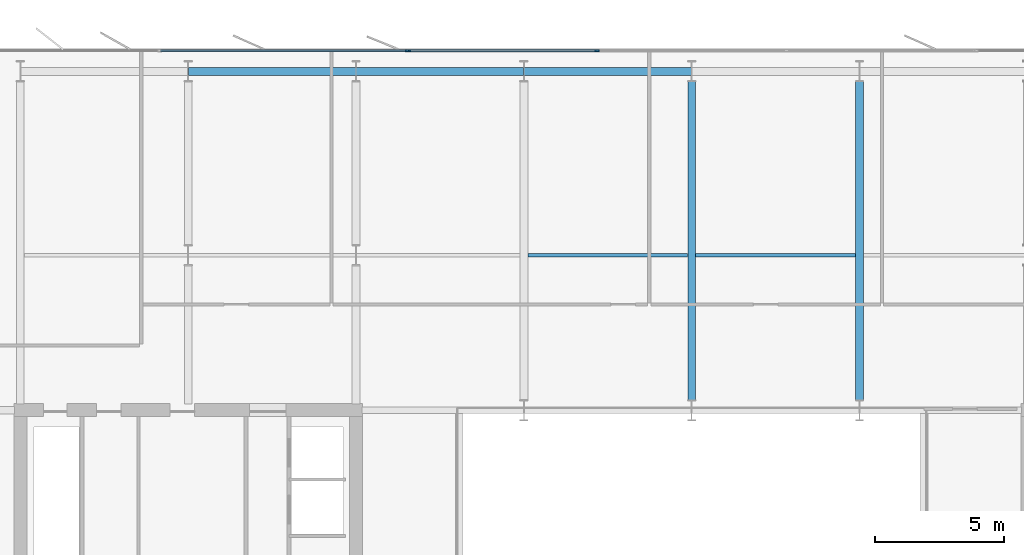
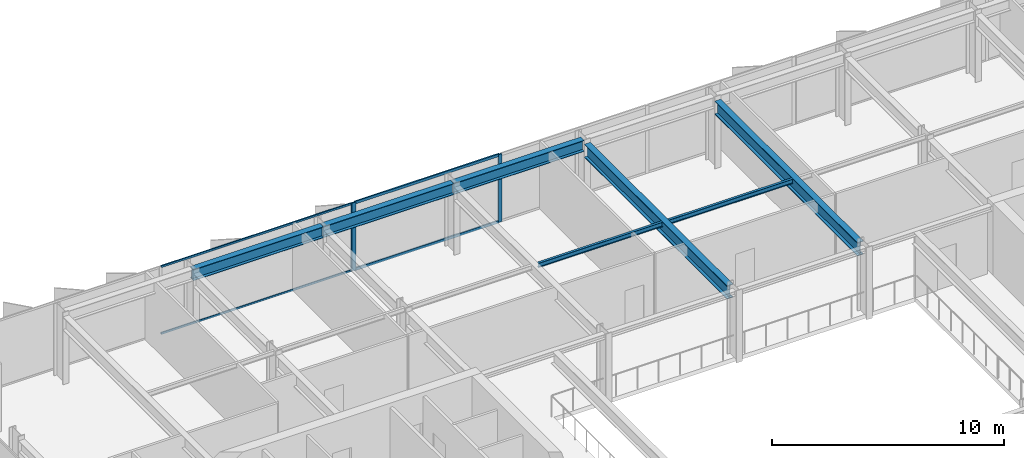
# One storey, part 11 of 24: 7 beams, 7 members, 2 elements without a shape of their own.
"""IFC4 building model written with IfcOpenShell, lengths in metres."""

from ifc_helpers import new_model, si_unit, direction, frame, origin, origin_2d, place, context, subcontext, project, spatial, rectangle, i_section, extrude, material, layer, layer_set, material_profile, profile_set, type_object, element, aggregate, save


model = new_model("IFC4")

# Units and contexts
model_context = context("Model", 3, precision=1e-05, world=origin(), true_north=direction((0.0, 1.0)))
body_context = subcontext(model_context, "Body", "Model", "MODEL_VIEW")
ifc_project = project(units=[si_unit("LENGTHUNIT", "METRE"), si_unit("AREAUNIT", "SQUARE_METRE"), si_unit("VOLUMEUNIT", "CUBIC_METRE"), si_unit("PLANEANGLEUNIT", "RADIAN"), si_unit("MASSUNIT", "GRAM", prefix="KILO")], contexts=[model_context])

# Site, building, storey
site_placement = place(None, origin())
site = spatial("IfcSite", under=ifc_project, at=site_placement, CompositionType="ELEMENT")
building_placement = place(site_placement, origin())
building = spatial("IfcBuilding", under=site, at=building_placement, Name="Putna Gate Headquarters", CompositionType="ELEMENT")
storey_placement = place(building_placement, frame((0.0, 0.0, 236.60009765625)))
storey = spatial("IfcBuildingStorey", under=building, at=storey_placement, Name="L59", CompositionType="ELEMENT", Elevation=236.60009765625)

# Beams
ifc_material_1 = material(Name="Steel S355J2", Category="steel")
ifc_material_profile_1 = material_profile(ifc_material_1, i_section(OverallWidth=0.300048828125, OverallDepth=0.699951171875, WebThickness=0.01708984375, FlangeThickness=0.031982421875, at=origin_2d()), Name="Steel S355J2")
ifc_profile_set_1 = profile_set([ifc_material_profile_1], Name="Steel S355J2")
beam_type_1 = type_object("IfcBeamType", Name="BM-GIRD-B-HEB700", PredefinedType="USERDEFINED", material=ifc_profile_set_1)
for number, where, z_axis, x_axis, name in (
    (1, (39.0, 33.39501953125, 3.22998046875), (0.0, 1.0, 0.0), (-1.0, 0.0, 0.0), "L59 North Primary Girder X39"),
    (2, (45.5, 33.39501953125, 3.22998046875), (0.0, 1.0, 0.0), (-1.0, 0.0, 0.0), "L59 North Primary Girder X45"),
):
    element("IfcBeam", number, at=place(storey_placement, frame(where, z_axis=z_axis, x_axis=x_axis)), inside=storey, type_object=beam_type_1, Name=name, ObjectType="GIRDER", PredefinedType="USERDEFINED", context=body_context, shape_type="SweptSolid", body=[
        extrude(i_section(OverallWidth=0.300048828125, OverallDepth=0.699951171875, WebThickness=0.01708984375, FlangeThickness=0.031982421875, at=origin_2d()), origin(), (0.0, 0.0, 1.0), 12.330078125),
    ])
ifc_material_profile_2 = material_profile(ifc_material_1, i_section(OverallWidth=0.1201171875, OverallDepth=0.239990234375, WebThickness=0.006103515625, FlangeThickness=0.009765625, at=origin_2d()), Name="Steel S355J2")
ifc_profile_set_2 = profile_set([ifc_material_profile_2], Name="Steel S355J2")
beam_type_2 = type_object("IfcBeamType", Name="BM-SEC-Z4-IPE240", PredefinedType="JOIST", material=ifc_profile_set_2)
for number, where, z_axis, x_axis, name in (
    (3, (32.654052734375, 39.0, 3.4599609375), (1.0, 0.0, 0.0), (0.0, 1.0, 0.0), "L59 North Secondary Beam 4"),
    (4, (39.154052734375, 39.0, 3.4599609375), (1.0, 0.0, 0.0), (0.0, 1.0, 0.0), "L59 North Secondary Beam 5"),
):
    element("IfcBeam", number, at=place(storey_placement, frame(where, z_axis=z_axis, x_axis=x_axis)), inside=storey, type_object=beam_type_2, Name=name, PredefinedType="JOIST", context=body_context, shape_type="SweptSolid", body=[
        extrude(i_section(OverallWidth=0.1201171875, OverallDepth=0.239990234375, WebThickness=0.006103515625, FlangeThickness=0.009765625, at=origin_2d()), origin(), (0.0, 0.0, 1.0), 6.19189453125),
    ])
ifc_material_profile_3 = material_profile(ifc_material_1, i_section(OverallWidth=0.300048828125, OverallDepth=0.590087890625, WebThickness=0.012939453125, FlangeThickness=0.02490234375, at=origin_2d()), Name="Steel S355J2")
ifc_profile_set_3 = profile_set([ifc_material_profile_3], Name="Steel S355J2")
beam_type_3 = type_object("IfcBeamType", Name="BM-SPAN-Z4-HEA600", PredefinedType="SPANDREL", material=ifc_profile_set_3)
for number, where, z_axis, x_axis, name in (
    (5, (19.506103515625, 46.1201171875, 3.284912109375), (1.0, 0.0, 0.0), (0.0, 1.0, 0.0), "L59 N Perimeter Spandrel 2"),
    (6, (26.006103515625, 46.1201171875, 3.284912109375), (1.0, 0.0, 0.0), (0.0, 1.0, 0.0), "L59 N Perimeter Spandrel 3"),
    (7, (32.506103515625, 46.1201171875, 3.284912109375), (1.0, 0.0, 0.0), (0.0, 1.0, 0.0), "L59 N Perimeter Spandrel 4"),
):
    element("IfcBeam", number, at=place(storey_placement, frame(where, z_axis=z_axis, x_axis=x_axis)), inside=storey, type_object=beam_type_3, Name=name, PredefinedType="SPANDREL", context=body_context, shape_type="SweptSolid", body=[
        extrude(i_section(OverallWidth=0.300048828125, OverallDepth=0.590087890625, WebThickness=0.012939453125, FlangeThickness=0.02490234375, at=origin_2d()), origin(), (0.0, 0.0, 1.0), 6.48779296875),
    ])

# Curtain wall, member
ifc_material_2 = material(Name="Anodised bronze aluminium curtain wall", Category="aluminium")
ifc_layer_1 = layer(ifc_material_2, 0.139892578125)
ifc_layer_set_1 = layer_set([ifc_layer_1], Name="Anodised bronze aluminium curtain wall")
curtain_wall_type_1 = type_object("IfcCurtainWallType", Name="CW-SYS-Z4", PredefinedType="USERDEFINED", material=ifc_layer_set_1)
curtain_wall_1_placement = place(storey_placement, origin())
curtain_wall_1 = element("IfcCurtainWall", 8, at=curtain_wall_1_placement, inside=storey, type_object=curtain_wall_type_1, Name="L59 North West Curtain Wall", ObjectType="STICK CURTAIN WALL", PredefinedType="USERDEFINED")
ifc_material_3 = material(Name="Anodised bronze aluminium EN AW-6060", Category="aluminium")
ifc_material_profile_4 = material_profile(ifc_material_3, rectangle(XDim=0.06005859375, YDim=0.139892578125, at=origin_2d()), Name="Anodised bronze aluminium EN AW-6060")
ifc_profile_set_4 = profile_set([ifc_material_profile_4], Name="Anodised bronze aluminium EN AW-6060")
member_type_1 = type_object("IfcMemberType", Name="MULL-CWM-4", PredefinedType="MULLION", material=ifc_profile_set_4)
member_1_placement = place(storey_placement, frame((27.969970703125, 46.919921875, 0.0), z_axis=(0.0, 0.0, 1.0), x_axis=(0.0, 1.0, 0.0)))
member_1 = element("IfcMember", 9, at=member_1_placement, type_object=member_type_1, Name="CWS-4 mullion 3", PredefinedType="MULLION", context=body_context, shape_type="SweptSolid", body=[
    extrude(rectangle(XDim=0.06005859375, YDim=0.139892578125, at=origin_2d()), origin(), (0.0, 0.0, 1.0), 3.579833984375),
])

# Curtain wall, members
ifc_layer_2 = layer(ifc_material_2, 0.179931640625)
ifc_layer_set_2 = layer_set([ifc_layer_2], Name="Anodised bronze aluminium curtain wall")
curtain_wall_type_2 = type_object("IfcCurtainWallType", Name="CW-SYS-ATR", PredefinedType="USERDEFINED", material=ifc_layer_set_2)
curtain_wall_2_placement = place(storey_placement, origin())
curtain_wall_2 = element("IfcCurtainWall", 10, at=curtain_wall_2_placement, inside=storey, type_object=curtain_wall_type_2, Name="L59 North Atrium Clear Glazing", ObjectType="ATRIUM GLAZING", PredefinedType="USERDEFINED")
ifc_material_profile_5 = material_profile(ifc_material_3, rectangle(XDim=0.070068359375, YDim=0.179931640625, at=origin_2d()), Name="Anodised bronze aluminium EN AW-6060")
ifc_profile_set_5 = profile_set([ifc_material_profile_5], Name="Anodised bronze aluminium EN AW-6060")
member_type_2 = type_object("IfcMemberType", Name="MULL-CWM-AT", PredefinedType="MULLION", material=ifc_profile_set_5)
member_2_placement = place(storey_placement, frame((28.034912109375, 46.919921875, 0.0), z_axis=(0.0, 0.0, 1.0), x_axis=(0.0, 1.0, 0.0)))
member_2 = element("IfcMember", 11, at=member_2_placement, type_object=member_type_2, Name="CWS-AT mullion 1", PredefinedType="MULLION", context=body_context, shape_type="SweptSolid", body=[
    extrude(rectangle(XDim=0.070068359375, YDim=0.179931640625, at=origin_2d()), origin(), (0.0, 0.0, 1.0), 3.579833984375),
])
member_3_placement = place(storey_placement, frame((35.333251953125, 46.919921875, 0.0), z_axis=(0.0, 0.0, 1.0), x_axis=(0.0, 1.0, 0.0)))
member_3 = element("IfcMember", 12, at=member_3_placement, type_object=member_type_2, Name="CWS-AT mullion 2", PredefinedType="MULLION", context=body_context, shape_type="SweptSolid", body=[
    extrude(rectangle(XDim=0.070068359375, YDim=0.179931640625, at=origin_2d()), origin(), (0.0, 0.0, 1.0), 3.579833984375),
])

# Member
ifc_material_profile_6 = material_profile(ifc_material_3, rectangle(XDim=0.06005859375, YDim=0.10009765625, at=origin_2d()), Name="Anodised bronze aluminium EN AW-6060")
ifc_profile_set_6 = profile_set([ifc_material_profile_6], Name="Anodised bronze aluminium EN AW-6060")
member_type_3 = type_object("IfcMemberType", Name="TRAN-CWT-4", PredefinedType="USERDEFINED", material=ifc_profile_set_6)
member_4_placement = place(storey_placement, frame((18.429931640625, 46.919921875, 0.02978515625), z_axis=(1.0, 0.0, 0.0), x_axis=(0.0, 1.0, 0.0)))
member_4 = element("IfcMember", 13, at=member_4_placement, type_object=member_type_3, Name="CWS-4 transom 2.1", ObjectType="TRANSOM", PredefinedType="USERDEFINED", context=body_context, shape_type="SweptSolid", body=[
    extrude(rectangle(XDim=0.06005859375, YDim=0.10009765625, at=origin_2d()), origin(), (0.0, 0.0, 1.0), 9.510009765625),
])

member_5_placement = place(storey_placement, frame((18.429931640625, 46.919921875, 3.5498046875), z_axis=(1.0, 0.0, 0.0), x_axis=(0.0, 1.0, 0.0)))
member_5 = element("IfcMember", 14, at=member_5_placement, type_object=member_type_3, Name="CWS-4 transom 2.2", ObjectType="TRANSOM", PredefinedType="USERDEFINED", context=body_context, shape_type="SweptSolid", body=[
    extrude(rectangle(XDim=0.06005859375, YDim=0.10009765625, at=origin_2d()), origin(), (0.0, 0.0, 1.0), 9.510009765625),
])

aggregate(curtain_wall_1, [member_1, member_4, member_5])

ifc_material_profile_7 = material_profile(ifc_material_3, rectangle(XDim=0.070068359375, YDim=0.139892578125, at=origin_2d()), Name="Anodised bronze aluminium EN AW-6060")
ifc_profile_set_7 = profile_set([ifc_material_profile_7], Name="Anodised bronze aluminium EN AW-6060")
member_type_4 = type_object("IfcMemberType", Name="TRAN-CWT-AT", PredefinedType="USERDEFINED", material=ifc_profile_set_7)
member_6_placement = place(storey_placement, frame((28.070068359375, 46.919921875, 0.034912109375), z_axis=(1.0, 0.0, 0.0), x_axis=(0.0, 1.0, 0.0)))
member_6 = element("IfcMember", 15, at=member_6_placement, type_object=member_type_4, Name="CWS-AT transom 1.1", ObjectType="TRANSOM", PredefinedType="USERDEFINED", context=body_context, shape_type="SweptSolid", body=[
    extrude(rectangle(XDim=0.070068359375, YDim=0.139892578125, at=origin_2d()), origin(), (0.0, 0.0, 1.0), 7.228271484375),
])

member_7_placement = place(storey_placement, frame((28.070068359375, 46.919921875, 3.544921875), z_axis=(1.0, 0.0, 0.0), x_axis=(0.0, 1.0, 0.0)))
member_7 = element("IfcMember", 16, at=member_7_placement, type_object=member_type_4, Name="CWS-AT transom 1.2", ObjectType="TRANSOM", PredefinedType="USERDEFINED", context=body_context, shape_type="SweptSolid", body=[
    extrude(rectangle(XDim=0.070068359375, YDim=0.139892578125, at=origin_2d()), origin(), (0.0, 0.0, 1.0), 7.228271484375),
])

aggregate(curtain_wall_2, [member_2, member_3, member_6, member_7])

save(model, "model.ifc")
